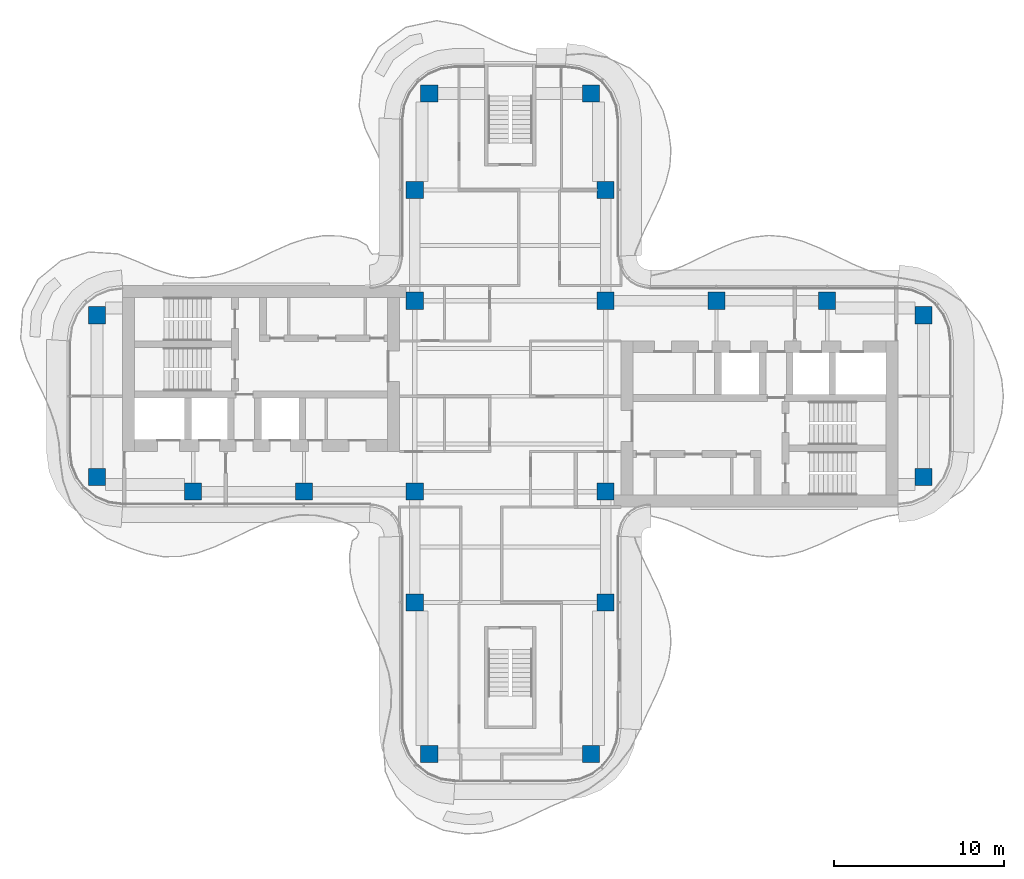
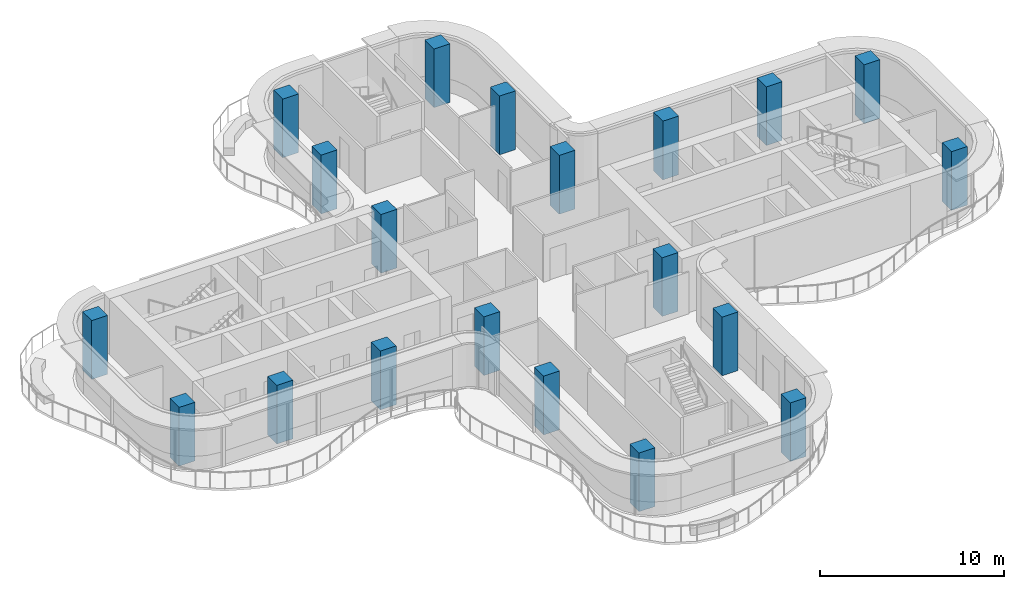
# One storey, part 1 of 16: 20 columns.
"""IFC4 building model written with IfcOpenShell, lengths in metres."""

from ifc_helpers import new_model, si_unit, direction, frame, origin, origin_2d, place, context, subcontext, project, spatial, rectangle, extrude, source, transform, mapped, material, material_profile, profile_set, type_object, element, save


model = new_model("IFC4")

# Units and contexts
model_context = context("Model", 3, precision=1e-05, world=origin(), true_north=direction((0.0, 1.0)))
body_context = subcontext(model_context, "Body", "Model", "MODEL_VIEW")
ifc_project = project(units=[si_unit("LENGTHUNIT", "METRE"), si_unit("AREAUNIT", "SQUARE_METRE"), si_unit("VOLUMEUNIT", "CUBIC_METRE"), si_unit("PLANEANGLEUNIT", "RADIAN"), si_unit("MASSUNIT", "GRAM", prefix="KILO")], contexts=[model_context])

# Site, building, storey
site_placement = place(None, origin())
site = spatial("IfcSite", under=ifc_project, at=site_placement, CompositionType="ELEMENT")
building_placement = place(site_placement, origin())
building = spatial("IfcBuilding", under=site, at=building_placement, Name="Trellis Farm Tower", CompositionType="ELEMENT")
storey_placement = place(building_placement, frame((0.0, 0.0, 318.39990234375)))
storey = spatial("IfcBuildingStorey", under=building, at=storey_placement, Name="L72", CompositionType="ELEMENT", Elevation=318.39990234375)

# Columns
ifc_material = material(Name="Concrete C60/75", Category="concrete")
ifc_material_profile = material_profile(ifc_material, rectangle(XDim=1.0, YDim=1.0, at=origin_2d()), Name="RC column 1000x1000 C60/75")
ifc_profile_set = profile_set([ifc_material_profile], Name="Concrete C60/75")
column_type = type_object("IfcColumnType", Name="RC column 1000x1000 C60/75", PredefinedType="COLUMN", material=ifc_profile_set)
shared_shape = source(origin(), body_context, "Body", "SweptSolid", [
    extrude(rectangle(XDim=1.0, YDim=1.0, at=origin_2d()), origin(), (0.0, 0.0, 1.0), 3.900146484375),
])
for number, where, z_axis, x_axis, name in (
    (1, (12.10009765625, 5.60009765625, 0.0), (0.0, 0.0, 1.0), (1.0, 0.0, 0.0), "Column"),
    (2, (18.60009765625, 5.60009765625, 0.0), (0.0, 0.0, 1.0), (1.0, 0.0, 0.0), "Column"),
    (3, (24.25, 4.75, 0.0), (0.0, 0.0, 1.0), (1.0, 0.0, 0.0), "Column"),
    (4, (24.25, -4.75, 0.0), (0.0, 0.0, 1.0), (1.0, 0.0, 0.0), "Column"),
    (5, (-5.60009765625, 12.10009765625, 0.0), (0.0, 0.0, 1.0), (1.0, 0.0, 0.0), "Column"),
    (6, (-4.75, 17.75, 0.0), (0.0, 0.0, 1.0), (1.0, 0.0, 0.0), "Column"),
    (7, (5.60009765625, 12.10009765625, 0.0), (0.0, 0.0, 1.0), (1.0, 0.0, 0.0), "Column"),
    (8, (4.75, 17.75, 0.0), (0.0, 0.0, 1.0), (1.0, 0.0, 0.0), "Column"),
    (9, (5.60009765625, 5.60009765625, 0.0), (0.0, 0.0, 1.0), (1.0, 0.0, 0.0), "Column"),
    (10, (-5.60009765625, 5.60009765625, 0.0), (0.0, 0.0, 1.0), (1.0, 0.0, 0.0), "Column"),
    (11, (5.60009765625, -5.60009765625, 0.0), (0.0, 0.0, 1.0), (1.0, 0.0, 0.0), "Column"),
    (12, (-5.60009765625, -5.60009765625, 0.0), (0.0, 0.0, 1.0), (1.0, 0.0, 0.0), "Column"),
    (13, (5.60009765625, -12.10009765625, 0.0), (0.0, 0.0, 1.0), (1.0, 0.0, 0.0), "Column"),
    (14, (4.75, -21.0, 0.0), (0.0, 0.0, 1.0), (1.0, 0.0, 0.0), "Column"),
    (15, (-5.60009765625, -12.10009765625, 0.0), (0.0, 0.0, 1.0), (1.0, 0.0, 0.0), "Column"),
    (16, (-4.75, -21.0, 0.0), (0.0, 0.0, 1.0), (1.0, 0.0, 0.0), "Column"),
    (17, (-12.10009765625, -5.60009765625, 0.0), (0.0, 0.0, 1.0), (1.0, 0.0, 0.0), "Column"),
    (18, (-18.60009765625, -5.60009765625, 0.0), (0.0, 0.0, 1.0), (1.0, 0.0, 0.0), "Column"),
    (19, (-24.25, -4.75, 0.0), (0.0, 0.0, 1.0), (1.0, 0.0, 0.0), "Column"),
    (20, (-24.25, 4.75, 0.0), (0.0, 0.0, 1.0), (1.0, 0.0, 0.0), "Column"),
):
    element("IfcColumn", number, at=place(storey_placement, frame(where, z_axis=z_axis, x_axis=x_axis)), inside=storey, type_object=column_type, Name=name, PredefinedType="COLUMN", context=body_context, shape_type="MappedRepresentation", body=[
        mapped(shared_shape, transform((0.0, 0.0, 0.0))),
    ])

save(model, "model.ifc")
